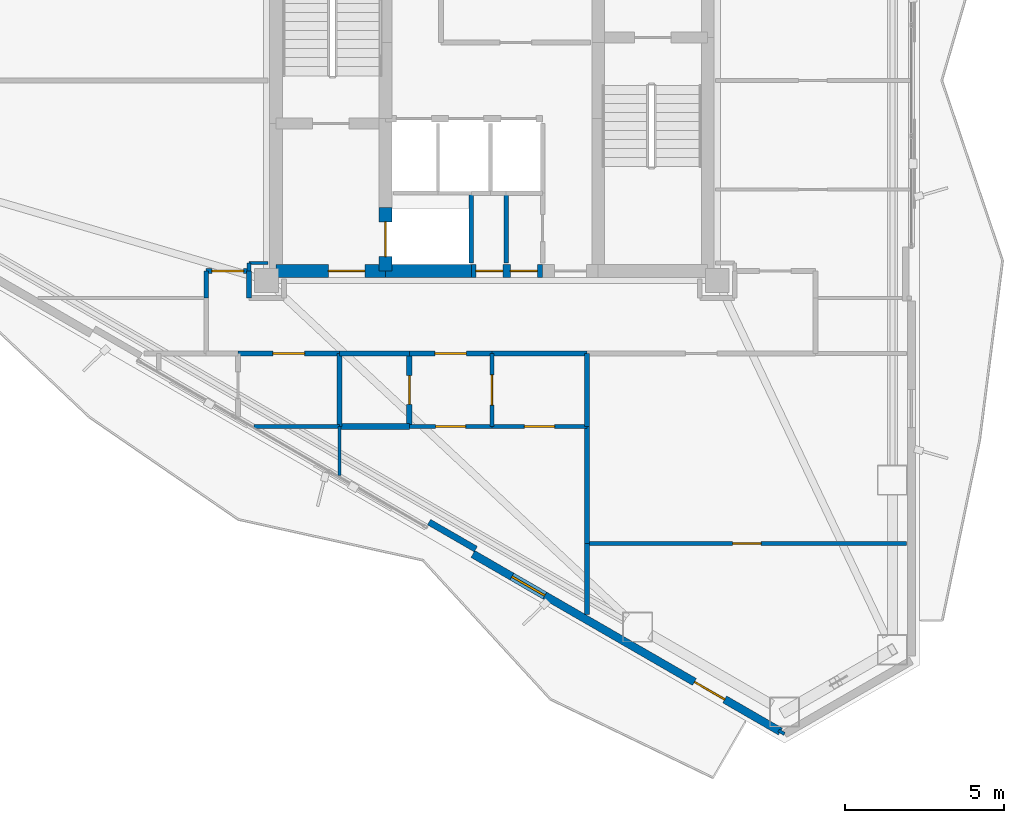
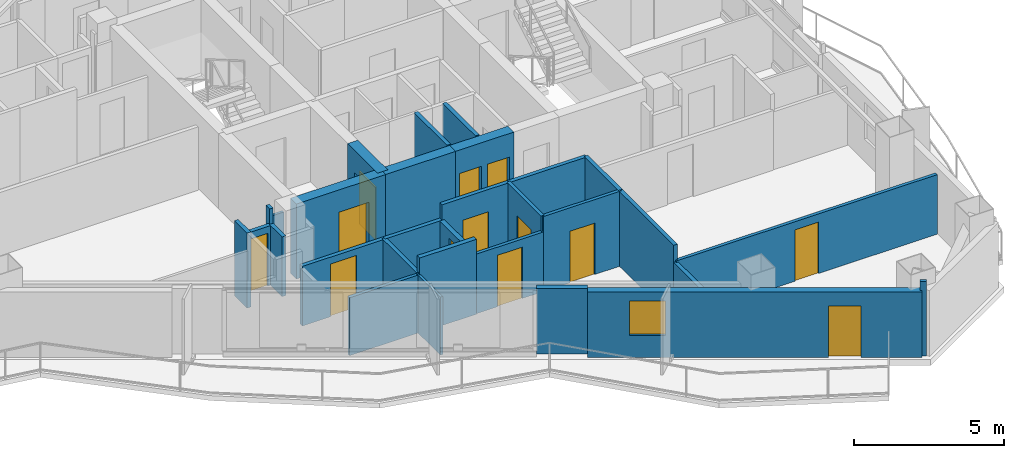
# One storey, part 12 of 18: 30 walls, 13 doors, 1 window, 14 openings.
"""IFC4 building model written with IfcOpenShell, lengths in metres."""

from ifc_helpers import new_model, si_unit, direction, frame, frame_2d, origin, place, context, subcontext, project, spatial, rectangle, extrude, material, layer, layer_set, type_object, element, fill, save


model = new_model("IFC4")

# Units and contexts
model_context = context("Model", 3, precision=1e-05, world=origin(), true_north=direction((0.0, 1.0)))
body_context = subcontext(model_context, "Body", "Model", "MODEL_VIEW")
ifc_project = project(units=[si_unit("LENGTHUNIT", "METRE"), si_unit("AREAUNIT", "SQUARE_METRE"), si_unit("VOLUMEUNIT", "CUBIC_METRE"), si_unit("PLANEANGLEUNIT", "RADIAN"), si_unit("MASSUNIT", "GRAM", prefix="KILO")], contexts=[model_context])

# Site, building, storey
site_placement = place(None, origin())
site = spatial("IfcSite", under=ifc_project, at=site_placement, CompositionType="ELEMENT")
building_placement = place(site_placement, origin())
building = spatial("IfcBuilding", under=site, at=building_placement, Name="Mersakhor Tower and Convention Hall", CompositionType="ELEMENT")
storey_placement = place(building_placement, frame((0.0, 0.0, 154.199951171875)))
storey = spatial("IfcBuildingStorey", under=building, at=storey_placement, Name="L43", CompositionType="ELEMENT", Elevation=154.199951171875)

# Wall, openings, door, window
ifc_material_1 = material(Name="Precast concrete C40/50", Category="concrete")
ifc_layer_1 = layer(ifc_material_1, 0.25)
ifc_layer_set_1 = layer_set([ifc_layer_1], Name="Precast concrete C40/50")
wall_type_1 = type_object("IfcWallType", Name="WL-EXT-250", PredefinedType="SOLIDWALL", material=ifc_layer_set_1)
wall_1_placement = place(storey_placement, frame((38.090576171875, 6.2373046875, 0.0), z_axis=(0.0, 0.0, 1.0), x_axis=(-0.86602239209, 0.500005216371, 0.0)))
wall_1 = element("IfcWall", 1, at=wall_1_placement, inside=storey, type_object=wall_type_1, Name="L43 Exterior Facade Wall F3-B1", PredefinedType="SOLIDWALL", context=body_context, shape_type="SweptSolid", body=[
    extrude(rectangle(XDim=11.18603515625, YDim=0.25, at=frame_2d((5.593017578125, 0.0))), origin(), (0.0, 0.0, 1.0), 2.679931640625),
])
opening_1_placement = place(wall_1_placement, frame((2.027099609375, 0.0, 0.0)))
opening_1 = element("IfcOpeningElement", 2, at=opening_1_placement, cuts=wall_1, Name="Opening BD-02", PredefinedType="OPENING", context=body_context, shape_type="SweptSolid", body=[
    extrude(rectangle(XDim=1.10009765625, YDim=2.10009765625, at=frame_2d((0.550048828125, 1.050048828125))), frame((0.0, 0.135009765625, 0.0), z_axis=(0.0, -1.0, 0.0), x_axis=(1.0, 0.0, 0.0)), (0.0, 0.0, 1.0), 0.27001953125),
])
opening_2_placement = place(wall_1_placement, frame((8.571044921875, 0.0, 0.89990234375)))
opening_2 = element("IfcOpeningElement", 3, at=opening_2_placement, cuts=wall_1, Name="Opening W-01", PredefinedType="OPENING", context=body_context, shape_type="SweptSolid", body=[
    extrude(rectangle(XDim=1.199951171875, YDim=1.39990234375, at=frame_2d((0.60009765625, 0.699951171875))), frame((0.0, 0.135009765625, 0.0), z_axis=(0.0, -1.0, 0.0), x_axis=(1.0, 0.0, 0.0)), (0.0, 0.0, 1.0), 0.27001953125),
])
ifc_material_2 = material(Name="Thermally broken dark aluminium and safety glass", Category="aluminium")
door_type_1 = type_object("IfcDoorType", Name="DR-BAL-110x210", OperationType="NOTDEFINED", PredefinedType="DOOR", material=ifc_material_2)
door_1_placement = place(opening_1_placement, origin())
door_1 = element("IfcDoor", 4, at=door_1_placement, inside=storey, type_object=door_type_1, Name="L43 Balcony Terrace Door F3-B1", OperationType="SINGLE_SWING_RIGHT", OverallHeight=2.10009765625, OverallWidth=1.10009765625, PredefinedType="DOOR", context=body_context, shape_type="SweptSolid", body=[
    extrude(rectangle(XDim=1.10009765625, YDim=2.10009765625, at=frame_2d((0.550048828125, 1.050048828125))), frame((0.0, 0.02490234375, 0.0), z_axis=(0.0, -1.0, 0.0), x_axis=(1.0, 0.0, 0.0)), (0.0, 0.0, 1.0), 0.050048828125),
])
fill(opening_1, door_1)
ifc_material_3 = material(Name="Dark solar low-E glazed aluminium window", Category="aluminium")
window_type = type_object("IfcWindowType", Name="WN-RES-120x150", PartitioningType="SINGLE_PANEL", PredefinedType="WINDOW", material=ifc_material_3)
window_placement = place(opening_2_placement, origin())
window = element("IfcWindow", 5, at=window_placement, inside=storey, type_object=window_type, Name="L43 Bedroom Facade Window F3-B1-1", OverallHeight=1.39990234375, OverallWidth=1.199951171875, PartitioningType="SINGLE_PANEL", PredefinedType="WINDOW", context=body_context, shape_type="SweptSolid", body=[
    extrude(rectangle(XDim=1.199951171875, YDim=1.39990234375, at=frame_2d((0.60009765625, 0.699951171875))), frame((0.0, 0.030029296875, 0.0), z_axis=(0.0, -1.0, 0.0), x_axis=(1.0, 0.0, 0.0)), (0.0, 0.0, 1.0), 0.06005859375),
])
fill(opening_2, window)

# Wall
ifc_material_4 = material(Name="Precast concrete C40/50", Category="concrete")
ifc_layer_2 = layer(ifc_material_4, 0.199951171875)
ifc_layer_set_2 = layer_set([ifc_layer_2], Name="Precast concrete C40/50")
wall_type_2 = type_object("IfcWallType", Name="WL-PAR-200", PredefinedType="PARAPET", material=ifc_layer_set_2)
wall_2_placement = place(storey_placement, frame((28.4931640625, 11.986328125, 0.0), z_axis=(0.0, 0.0, 1.0), x_axis=(-0.86605165483, 0.499954529098, 0.0)))
element("IfcWall", 6, at=wall_2_placement, inside=storey, type_object=wall_type_2, Name="L43 Column Pier Cladding Wall F3-C1", PredefinedType="PARAPET", context=body_context, shape_type="SweptSolid", body=[
    extrude(rectangle(XDim=1.699951171875, YDim=0.199951171875, at=frame_2d((0.85009765625, 0.0))), origin(), (0.0, 0.0, 1.0), 2.679931640625),
])

# Wall, opening, door
ifc_material_5 = material(Name="Moisture-resistant acoustic drywall studwork", Category="other")
ifc_layer_3 = layer(ifc_material_5, 0.175048828125)
ifc_layer_set_3 = layer_set([ifc_layer_3], Name="Moisture-resistant acoustic drywall studwork")
wall_type_3 = type_object("IfcWallType", Name="WL-PLM-175", PredefinedType="PLUMBINGWALL", material=ifc_layer_set_3)
wall_3_placement = place(storey_placement, frame((26.39990234375, 15.85009765625, 0.0), z_axis=(0.0, 0.0, 1.0), x_axis=(0.0, 1.0, 0.0)))
wall_3 = element("IfcWall", 7, at=wall_3_placement, inside=storey, type_object=wall_type_3, Name="L43 Interior Partition Wall P-056", PredefinedType="PLUMBINGWALL", context=body_context, shape_type="SweptSolid", body=[
    extrude(rectangle(XDim=2.2998046875, YDim=0.175048828125, at=frame_2d((1.14990234375, 0.0))), origin(), (0.0, 0.0, 1.0), 2.432861328125),
])
opening_3_placement = place(wall_3_placement, frame((0.699951171875, 0.0, 0.0)))
opening_3 = element("IfcOpeningElement", 8, at=opening_3_placement, cuts=wall_3, Name="Opening WD-01", PredefinedType="OPENING", context=body_context, shape_type="SweptSolid", body=[
    extrude(rectangle(XDim=0.89990234375, YDim=2.10009765625, at=frame_2d((0.449951171875, 1.050048828125))), frame((0.0, 0.097412109375, 0.0), z_axis=(0.0, -1.0, 0.0), x_axis=(1.0, 0.0, 0.0)), (0.0, 0.0, 1.0), 0.195068359375),
])
ifc_material_6 = material(Name="Solid-core hardwood leaf in painted steel frame", Category="steel")
door_type_2 = type_object("IfcDoorType", Name="DR-INT-WET-090x210", OperationType="NOTDEFINED", PredefinedType="DOOR", material=ifc_material_6)
door_2_placement = place(opening_3_placement, origin())
door_2 = element("IfcDoor", 9, at=door_2_placement, inside=storey, type_object=door_type_2, Name="L43 L43 Flat S4 Apartment Hall to L43 Flat S4 Bathroom Door", OperationType="SINGLE_SWING_LEFT", OverallHeight=2.10009765625, OverallWidth=0.89990234375, PredefinedType="DOOR", context=body_context, shape_type="SweptSolid", body=[
    extrude(rectangle(XDim=0.89990234375, YDim=2.10009765625, at=frame_2d((0.449951171875, 1.050048828125))), frame((0.0, 0.02490234375, 0.0), z_axis=(0.0, -1.0, 0.0), x_axis=(1.0, 0.0, 0.0)), (0.0, 0.0, 1.0), 0.050048828125),
])
fill(opening_3, door_2)

# Walls
wall_4_placement = place(storey_placement, frame((26.39990234375, 15.85009765625, 0.0), z_axis=(0.0, 0.0, 1.0), x_axis=(-1.0, 0.0, 0.0)))
element("IfcWall", 10, at=wall_4_placement, inside=storey, type_object=wall_type_3, Name="L43 Interior Partition Wall P-067", PredefinedType="PLUMBINGWALL", context=body_context, shape_type="SweptSolid", body=[
    extrude(rectangle(XDim=2.199951171875, YDim=0.175048828125, at=frame_2d((1.10009765625, 0.0))), origin(), (0.0, 0.0, 1.0), 3.06005859375),
])
ifc_material_7 = material(Name="Lightweight gypsum partition", Category="other")
ifc_layer_4 = layer(ifc_material_7, 0.10009765625)
ifc_layer_set_4 = layer_set([ifc_layer_4], Name="Lightweight gypsum partition")
wall_type_4 = type_object("IfcWallType", Name="WL-PRT-100", PredefinedType="PARTITIONING", material=ifc_layer_set_4)
wall_5_placement = place(storey_placement, frame((38.220703125, 6.162109375, 0.0), z_axis=(0.0, 0.0, 1.0), x_axis=(-0.865581379588, 0.500768285049, 0.0)))
element("IfcWall", 11, at=wall_5_placement, inside=storey, type_object=wall_type_4, Name="L43 Interior Partition Wall P-088", PredefinedType="PARTITIONING", context=body_context, shape_type="SweptSolid", body=[
    extrude(rectangle(XDim=0.215576171875, YDim=0.10009765625, at=frame_2d((0.10791015625, 0.0))), origin(), (0.0, 0.0, 1.0), 3.06005859375),
])
wall_6_placement = place(storey_placement, frame((21.949951171875, 21.0, 0.0), z_axis=(0.0, 0.0, 1.0), x_axis=(-1.0, 0.0, 0.0)))
element("IfcWall", 12, at=wall_6_placement, inside=storey, type_object=wall_type_4, Name="L43 Interior Partition Wall P-092", PredefinedType="PARTITIONING", context=body_context, shape_type="SweptSolid", body=[
    extrude(rectangle(XDim=0.599853515625, YDim=0.10009765625, at=frame_2d((0.2998046875, 0.0))), origin(), (0.0, 0.0, 1.0), 2.5849609375),
])
wall_7_placement = place(storey_placement, frame((24.199951171875, 14.301025390625, 0.0), z_axis=(0.0, 0.0, 1.0), x_axis=(0.0, 1.0, 0.0)))
element("IfcWall", 13, at=wall_7_placement, inside=storey, type_object=wall_type_4, Name="L43 Interior Partition Wall P-116", PredefinedType="PARTITIONING", context=body_context, shape_type="SweptSolid", body=[
    extrude(rectangle(XDim=1.549072265625, YDim=0.10009765625, at=frame_2d((0.7744140625, 0.0))), origin(), (0.0, 0.0, 1.0), 2.364990234375),
])

# Wall, opening, door
ifc_material_8 = material(Name="Gypsum board acoustic partition", Category="other")
ifc_layer_5 = layer(ifc_material_8, 0.125)
ifc_layer_set_5 = layer_set([ifc_layer_5], Name="Gypsum board acoustic partition")
wall_type_5 = type_object("IfcWallType", Name="WL-PRT-125", PredefinedType="PARTITIONING", material=ifc_layer_set_5)
wall_8_placement = place(storey_placement, frame((29.0, 15.85009765625, 0.0), z_axis=(0.0, 0.0, 1.0), x_axis=(-1.0, 0.0, 0.0)))
wall_8 = element("IfcWall", 14, at=wall_8_placement, inside=storey, type_object=wall_type_5, Name="L43 Interior Partition Wall P-055", PredefinedType="PARTITIONING", context=body_context, shape_type="SweptSolid", body=[
    extrude(rectangle(XDim=2.60009765625, YDim=0.125, at=frame_2d((1.300048828125, 0.0))), origin(), (0.0, 0.0, 1.0), 2.432861328125),
])
opening_4_placement = place(wall_8_placement, frame((0.824951171875, 0.0, 0.0)))
opening_4 = element("IfcOpeningElement", 15, at=opening_4_placement, cuts=wall_8, Name="Opening RD-01", PredefinedType="OPENING", context=body_context, shape_type="SweptSolid", body=[
    extrude(rectangle(XDim=0.949951171875, YDim=2.10009765625, at=frame_2d((0.47509765625, 1.050048828125))), frame((0.0, 0.072509765625, 0.0), z_axis=(0.0, -1.0, 0.0), x_axis=(1.0, 0.0, 0.0)), (0.0, 0.0, 1.0), 0.14501953125),
])
ifc_material_9 = material(Name="Solid-core hardwood leaf in painted steel frame", Category="steel")
door_type_3 = type_object("IfcDoorType", Name="DR-INT-RM-095x210", OperationType="NOTDEFINED", PredefinedType="DOOR", material=ifc_material_9)
door_3_placement = place(opening_4_placement, origin())
door_3 = element("IfcDoor", 16, at=door_3_placement, inside=storey, type_object=door_type_3, Name="L43 L43 Flat S4 Apartment Hall to L43 Flat S4 Studio Living and Sleeping Room Door", OperationType="SINGLE_SWING_LEFT", OverallHeight=2.10009765625, OverallWidth=0.949951171875, PredefinedType="DOOR", context=body_context, shape_type="SweptSolid", body=[
    extrude(rectangle(XDim=0.949951171875, YDim=2.10009765625, at=frame_2d((0.47509765625, 1.050048828125))), frame((0.0, 0.02490234375, 0.0), z_axis=(0.0, -1.0, 0.0), x_axis=(1.0, 0.0, 0.0)), (0.0, 0.0, 1.0), 0.050048828125),
])
fill(opening_4, door_3)

wall_9_placement = place(storey_placement, frame((29.0, 18.14990234375, 0.0), z_axis=(0.0, 0.0, 1.0), x_axis=(0.0, -1.0, 0.0)))
wall_9 = element("IfcWall", 17, at=wall_9_placement, inside=storey, type_object=wall_type_5, Name="L43 Interior Partition Wall P-057", PredefinedType="PARTITIONING", context=body_context, shape_type="SweptSolid", body=[
    extrude(rectangle(XDim=2.2998046875, YDim=0.125, at=frame_2d((1.14990234375, 0.0))), origin(), (0.0, 0.0, 1.0), 3.06005859375),
])
opening_5_placement = place(wall_9_placement, frame((0.675048828125, 0.0, 0.0)))
opening_5 = element("IfcOpeningElement", 18, at=opening_5_placement, cuts=wall_9, Name="Opening RD-01", PredefinedType="OPENING", context=body_context, shape_type="SweptSolid", body=[
    extrude(rectangle(XDim=0.949951171875, YDim=2.10009765625, at=frame_2d((0.47509765625, 1.050048828125))), frame((0.0, 0.072509765625, 0.0), z_axis=(0.0, -1.0, 0.0), x_axis=(1.0, 0.0, 0.0)), (0.0, 0.0, 1.0), 0.14501953125),
])
door_4_placement = place(opening_5_placement, origin())
door_4 = element("IfcDoor", 19, at=door_4_placement, inside=storey, type_object=door_type_3, Name="L43 L43 Flat S4 Apartment Hall to L43 Flat S4 Kitchen Door", OperationType="SINGLE_SWING_RIGHT", OverallHeight=2.10009765625, OverallWidth=0.949951171875, PredefinedType="DOOR", context=body_context, shape_type="SweptSolid", body=[
    extrude(rectangle(XDim=0.949951171875, YDim=2.10009765625, at=frame_2d((0.47509765625, 1.050048828125))), frame((0.0, 0.02490234375, 0.0), z_axis=(0.0, -1.0, 0.0), x_axis=(1.0, 0.0, 0.0)), (0.0, 0.0, 1.0), 0.050048828125),
])
fill(opening_5, door_4)

wall_10_placement = place(storey_placement, frame((32.0, 15.85009765625, 0.0), z_axis=(0.0, 0.0, 1.0), x_axis=(-1.0, 0.0, 0.0)))
wall_10 = element("IfcWall", 20, at=wall_10_placement, inside=storey, type_object=wall_type_5, Name="L43 Interior Partition Wall P-069", PredefinedType="PARTITIONING", context=body_context, shape_type="SweptSolid", body=[
    extrude(rectangle(XDim=3.0, YDim=0.125, at=frame_2d((1.5, 0.0))), origin(), (0.0, 0.0, 1.0), 3.06005859375),
])
opening_6_placement = place(wall_10_placement, frame((1.02490234375, 0.0, 0.0)))
opening_6 = element("IfcOpeningElement", 21, at=opening_6_placement, cuts=wall_10, Name="Opening RD-01", PredefinedType="OPENING", context=body_context, shape_type="SweptSolid", body=[
    extrude(rectangle(XDim=0.949951171875, YDim=2.10009765625, at=frame_2d((0.47509765625, 1.050048828125))), frame((0.0, 0.072509765625, 0.0), z_axis=(0.0, -1.0, 0.0), x_axis=(1.0, 0.0, 0.0)), (0.0, 0.0, 1.0), 0.14501953125),
])
door_5_placement = place(opening_6_placement, origin())
door_5 = element("IfcDoor", 22, at=door_5_placement, inside=storey, type_object=door_type_3, Name="L43 L43 Flat S4 Kitchen to L43 Flat S4 Studio Living and Sleeping Room Door", OperationType="SINGLE_SWING_LEFT", OverallHeight=2.10009765625, OverallWidth=0.949951171875, PredefinedType="DOOR", context=body_context, shape_type="SweptSolid", body=[
    extrude(rectangle(XDim=0.949951171875, YDim=2.10009765625, at=frame_2d((0.47509765625, 1.050048828125))), frame((0.0, 0.02490234375, 0.0), z_axis=(0.0, -1.0, 0.0), x_axis=(1.0, 0.0, 0.0)), (0.0, 0.0, 1.0), 0.050048828125),
])
fill(opening_6, door_5)

wall_11_placement = place(storey_placement, frame((32.0, 12.159912109375, 0.0), z_axis=(0.0, 0.0, 1.0), x_axis=(1.0, 0.0, 0.0)))
wall_11 = element("IfcWall", 23, at=wall_11_placement, inside=storey, type_object=wall_type_5, Name="L43 Interior Partition Wall P-087", PredefinedType="PARTITIONING", context=body_context, shape_type="SweptSolid", body=[
    extrude(rectangle(XDim=10.0703125, YDim=0.125, at=frame_2d((5.03515625, 0.0))), origin(), (0.0, 0.0, 1.0), 2.432861328125),
])
opening_7_placement = place(wall_11_placement, frame((4.585205078125, 0.0, 0.0)))
opening_7 = element("IfcOpeningElement", 24, at=opening_7_placement, cuts=wall_11, Name="Opening WD-01", PredefinedType="OPENING", context=body_context, shape_type="SweptSolid", body=[
    extrude(rectangle(XDim=0.89990234375, YDim=2.10009765625, at=frame_2d((0.449951171875, 1.050048828125))), frame((0.0, 0.072509765625, 0.0), z_axis=(0.0, -1.0, 0.0), x_axis=(1.0, 0.0, 0.0)), (0.0, 0.0, 1.0), 0.14501953125),
])
door_6_placement = place(opening_7_placement, origin())
door_6 = element("IfcDoor", 25, at=door_6_placement, inside=storey, type_object=door_type_2, Name="L43 L43 South-East Residents Lounge to L43 South-East Residents Lounge Annex Door", OperationType="SINGLE_SWING_LEFT", OverallHeight=2.10009765625, OverallWidth=0.89990234375, PredefinedType="DOOR", context=body_context, shape_type="SweptSolid", body=[
    extrude(rectangle(XDim=0.89990234375, YDim=2.10009765625, at=frame_2d((0.449951171875, 1.050048828125))), frame((0.0, 0.02490234375, 0.0), z_axis=(0.0, -1.0, 0.0), x_axis=(1.0, 0.0, 0.0)), (0.0, 0.0, 1.0), 0.050048828125),
])
fill(opening_7, door_6)

# Walls
wall_12_placement = place(storey_placement, frame((21.35009765625, 21.0, 0.0), z_axis=(0.0, 0.0, 1.0), x_axis=(0.0, -1.0, 0.0)))
element("IfcWall", 26, at=wall_12_placement, inside=storey, type_object=wall_type_5, Name="L43 Interior Partition Wall P-093", PredefinedType="PARTITIONING", context=body_context, shape_type="SweptSolid", body=[
    extrude(rectangle(XDim=0.25, YDim=0.125, at=frame_2d((0.125, 0.0))), origin(), (0.0, 0.0, 1.0), 3.06005859375),
])
wall_13_placement = place(storey_placement, frame((24.199951171875, 15.85009765625, 0.0), z_axis=(0.0, 0.0, 1.0), x_axis=(-1.0, 0.0, 0.0)))
element("IfcWall", 27, at=wall_13_placement, inside=storey, type_object=wall_type_5, Name="L43 Interior Partition Wall P-115", PredefinedType="PARTITIONING", context=body_context, shape_type="SweptSolid", body=[
    extrude(rectangle(XDim=2.68994140625, YDim=0.125, at=frame_2d((1.344970703125, 0.0))), origin(), (0.0, 0.0, 1.0), 2.364990234375),
])
ifc_material_10 = material(Name="Fire-rated gypsum board stud partition", Category="other")
ifc_layer_6 = layer(ifc_material_10, 0.14990234375)
ifc_layer_set_6 = layer_set([ifc_layer_6], Name="Fire-rated gypsum board stud partition")
wall_type_6 = type_object("IfcWallType", Name="WL-PRT-150", PredefinedType="PARTITIONING", material=ifc_layer_set_6)
wall_14_placement = place(storey_placement, frame((28.35009765625, 23.199951171875, 0.0), z_axis=(0.0, 0.0, 1.0), x_axis=(0.0, -1.0, 0.0)))
element("IfcWall", 28, at=wall_14_placement, inside=storey, type_object=wall_type_6, Name="L43 Interior Partition Wall P-003", PredefinedType="PARTITIONING", context=body_context, shape_type="SweptSolid", body=[
    extrude(rectangle(XDim=2.199951171875, YDim=0.14990234375, at=frame_2d((1.10009765625, 0.0))), origin(), (0.0, 0.0, 1.0), 3.06005859375),
])
wall_15_placement = place(storey_placement, frame((32.0, 18.14990234375, 0.0), z_axis=(0.0, 0.0, 1.0), x_axis=(-1.0, 0.0, 0.0)))
element("IfcWall", 29, at=wall_15_placement, inside=storey, type_object=wall_type_6, Name="L43 Interior Partition Wall P-042", PredefinedType="PARTITIONING", context=body_context, shape_type="SweptSolid", body=[
    extrude(rectangle(XDim=3.0, YDim=0.14990234375, at=frame_2d((1.5, 0.0))), origin(), (0.0, 0.0, 1.0), 3.06005859375),
])

# Wall, opening, door
wall_16_placement = place(storey_placement, frame((29.0, 18.14990234375, 0.0), z_axis=(0.0, 0.0, 1.0), x_axis=(-1.0, 0.0, 0.0)))
wall_16 = element("IfcWall", 30, at=wall_16_placement, inside=storey, type_object=wall_type_6, Name="L43 Interior Partition Wall P-043", PredefinedType="PARTITIONING", context=body_context, shape_type="SweptSolid", body=[
    extrude(rectangle(XDim=2.60009765625, YDim=0.14990234375, at=frame_2d((1.300048828125, 0.0))), origin(), (0.0, 0.0, 1.0), 3.06005859375),
])
opening_8_placement = place(wall_16_placement, frame((0.800048828125, 0.0, 0.0)))
opening_8 = element("IfcOpeningElement", 31, at=opening_8_placement, cuts=wall_16, Name="Opening FD-01", PredefinedType="OPENING", context=body_context, shape_type="SweptSolid", body=[
    extrude(rectangle(XDim=1.0, YDim=2.14990234375, at=frame_2d((0.5, 1.074951171875))), frame((0.0, 0.0849609375, 0.0), z_axis=(0.0, -1.0, 0.0), x_axis=(1.0, 0.0, 0.0)), (0.0, 0.0, 1.0), 0.169921875),
])
ifc_material_11 = material(Name="Fire-rated hardwood leaf and painted steel frame", Category="steel")
door_type_4 = type_object("IfcDoorType", Name="DR-INT-FLT-100x215", OperationType="NOTDEFINED", PredefinedType="DOOR", material=ifc_material_11)
door_7_placement = place(opening_8_placement, origin())
door_7 = element("IfcDoor", 32, at=door_7_placement, inside=storey, type_object=door_type_4, Name="L43 Apartment Entrance Door (Residential South Gallery Corridor to L43 Flat S4 Apartment Hall)", OperationType="SINGLE_SWING_LEFT", OverallHeight=2.14990234375, OverallWidth=1.0, PredefinedType="DOOR", context=body_context, shape_type="SweptSolid", body=[
    extrude(rectangle(XDim=1.0, YDim=2.14990234375, at=frame_2d((0.5, 1.074951171875))), frame((0.0, 0.02490234375, 0.0), z_axis=(0.0, -1.0, 0.0), x_axis=(1.0, 0.0, 0.0)), (0.0, 0.0, 1.0), 0.050048828125),
])
fill(opening_8, door_7)

# Wall
wall_17_placement = place(storey_placement, frame((26.39990234375, 18.14990234375, 0.0), z_axis=(0.0, 0.0, 1.0), x_axis=(-1.0, 0.0, 0.0)))
element("IfcWall", 33, at=wall_17_placement, inside=storey, type_object=wall_type_6, Name="L43 Interior Partition Wall P-044", PredefinedType="PARTITIONING", context=body_context, shape_type="SweptSolid", body=[
    extrude(rectangle(XDim=2.199951171875, YDim=0.14990234375, at=frame_2d((1.10009765625, 0.0))), origin(), (0.0, 0.0, 1.0), 2.432861328125),
])

# Wall, opening, door
wall_18_placement = place(storey_placement, frame((24.199951171875, 18.14990234375, 0.0), z_axis=(0.0, 0.0, 1.0), x_axis=(-1.0, 0.0, 0.0)))
wall_18 = element("IfcWall", 34, at=wall_18_placement, inside=storey, type_object=wall_type_6, Name="L43 Interior Partition Wall P-045", PredefinedType="PARTITIONING", context=body_context, shape_type="SweptSolid", body=[
    extrude(rectangle(XDim=3.199951171875, YDim=0.14990234375, at=frame_2d((1.60009765625, 0.0))), origin(), (0.0, 0.0, 1.0), 2.432861328125),
])
opening_9_placement = place(wall_18_placement, frame((1.10009765625, 0.0, 0.0)))
opening_9 = element("IfcOpeningElement", 35, at=opening_9_placement, cuts=wall_18, Name="Opening FD-01", PredefinedType="OPENING", context=body_context, shape_type="SweptSolid", body=[
    extrude(rectangle(XDim=1.0, YDim=2.14990234375, at=frame_2d((0.5, 1.074951171875))), frame((0.0, 0.0849609375, 0.0), z_axis=(0.0, -1.0, 0.0), x_axis=(1.0, 0.0, 0.0)), (0.0, 0.0, 1.0), 0.169921875),
])
door_8_placement = place(opening_9_placement, origin())
door_8 = element("IfcDoor", 36, at=door_8_placement, inside=storey, type_object=door_type_4, Name="L43 Residential South Gallery Corridor to L43 Floor Shared Tea Pantry 3-2 Door", OperationType="SINGLE_SWING_LEFT", OverallHeight=2.14990234375, OverallWidth=1.0, PredefinedType="DOOR", context=body_context, shape_type="SweptSolid", body=[
    extrude(rectangle(XDim=1.0, YDim=2.14990234375, at=frame_2d((0.5, 1.074951171875))), frame((0.0, 0.02490234375, 0.0), z_axis=(0.0, -1.0, 0.0), x_axis=(1.0, 0.0, 0.0)), (0.0, 0.0, 1.0), 0.050048828125),
])
fill(opening_9, door_8)

# Wall
wall_19_placement = place(storey_placement, frame((20.0, 19.89990234375, 0.0), z_axis=(0.0, 0.0, 1.0), x_axis=(0.0, 1.0, 0.0)))
element("IfcWall", 37, at=wall_19_placement, inside=storey, type_object=wall_type_6, Name="L43 Interior Partition Wall P-048", PredefinedType="PARTITIONING", context=body_context, shape_type="SweptSolid", body=[
    extrude(rectangle(XDim=0.85009765625, YDim=0.14990234375, at=frame_2d((0.425048828125, 0.0))), origin(), (0.0, 0.0, 1.0), 3.06005859375),
])

# Wall, opening, door
wall_20_placement = place(storey_placement, frame((20.0, 20.75, 0.0), z_axis=(0.0, 0.0, 1.0), x_axis=(1.0, 0.0, 0.0)))
wall_20 = element("IfcWall", 38, at=wall_20_placement, inside=storey, type_object=wall_type_6, Name="L43 Interior Partition Wall P-049", PredefinedType="PARTITIONING", context=body_context, shape_type="SweptSolid", body=[
    extrude(rectangle(XDim=1.35009765625, YDim=0.14990234375, at=frame_2d((0.675048828125, 0.0))), origin(), (0.0, 0.0, 1.0), 2.432861328125),
])
opening_10_placement = place(wall_20_placement, frame((0.175048828125, 0.0, 0.0)))
opening_10 = element("IfcOpeningElement", 39, at=opening_10_placement, cuts=wall_20, Name="Opening FD-01", PredefinedType="OPENING", context=body_context, shape_type="SweptSolid", body=[
    extrude(rectangle(XDim=1.0, YDim=2.14990234375, at=frame_2d((0.5, 1.074951171875))), frame((0.0, 0.0849609375, 0.0), z_axis=(0.0, -1.0, 0.0), x_axis=(1.0, 0.0, 0.0)), (0.0, 0.0, 1.0), 0.169921875),
])
door_9_placement = place(opening_10_placement, origin())
door_9 = element("IfcDoor", 40, at=door_9_placement, inside=storey, type_object=door_type_4, Name="L43 Residential South Gallery Corridor to L43 West South Residents Dining Room Door", OperationType="SINGLE_SWING_LEFT", OverallHeight=2.14990234375, OverallWidth=1.0, PredefinedType="DOOR", context=body_context, shape_type="SweptSolid", body=[
    extrude(rectangle(XDim=1.0, YDim=2.14990234375, at=frame_2d((0.5, 1.074951171875))), frame((0.0, 0.02490234375, 0.0), z_axis=(0.0, -1.0, 0.0), x_axis=(1.0, 0.0, 0.0)), (0.0, 0.0, 1.0), 0.050048828125),
])
fill(opening_10, door_9)

# Walls
wall_21_placement = place(storey_placement, frame((21.35009765625, 20.75, 0.0), z_axis=(0.0, 0.0, 1.0), x_axis=(0.0, -1.0, 0.0)))
element("IfcWall", 41, at=wall_21_placement, inside=storey, type_object=wall_type_6, Name="L43 Interior Partition Wall P-050", PredefinedType="PARTITIONING", context=body_context, shape_type="SweptSolid", body=[
    extrude(rectangle(XDim=0.85009765625, YDim=0.14990234375, at=frame_2d((0.425048828125, 0.0))), origin(), (0.0, 0.0, 1.0), 2.432861328125),
])
wall_22_placement = place(storey_placement, frame((24.199951171875, 15.85009765625, 0.0), z_axis=(0.0, 0.0, 1.0), x_axis=(0.0, 1.0, 0.0)))
element("IfcWall", 42, at=wall_22_placement, inside=storey, type_object=wall_type_6, Name="L43 Interior Partition Wall P-068", PredefinedType="PARTITIONING", context=body_context, shape_type="SweptSolid", body=[
    extrude(rectangle(XDim=2.2998046875, YDim=0.14990234375, at=frame_2d((1.14990234375, 0.0))), origin(), (0.0, 0.0, 1.0), 2.432861328125),
])
wall_23_placement = place(storey_placement, frame((32.0, 18.14990234375, 0.0), z_axis=(0.0, 0.0, 1.0), x_axis=(0.0, -1.0, 0.0)))
element("IfcWall", 43, at=wall_23_placement, inside=storey, type_object=wall_type_6, Name="L43 Interior Partition Wall P-070", PredefinedType="PARTITIONING", context=body_context, shape_type="SweptSolid", body=[
    extrude(rectangle(XDim=2.2998046875, YDim=0.14990234375, at=frame_2d((1.14990234375, 0.0))), origin(), (0.0, 0.0, 1.0), 3.06005859375),
])
wall_24_placement = place(storey_placement, frame((29.449951171875, 23.199951171875, 0.0), z_axis=(0.0, 0.0, 1.0), x_axis=(0.0, -1.0, 0.0)))
element("IfcWall", 44, at=wall_24_placement, inside=storey, type_object=wall_type_6, Name="L43 Interior Partition Wall P-078", PredefinedType="PARTITIONING", context=body_context, shape_type="SweptSolid", body=[
    extrude(rectangle(XDim=2.199951171875, YDim=0.14990234375, at=frame_2d((1.10009765625, 0.0))), origin(), (0.0, 0.0, 1.0), 3.06005859375),
])
wall_25_placement = place(storey_placement, frame((32.0, 9.92578125, 0.0), z_axis=(0.0, 0.0, 1.0), x_axis=(0.0, 1.0, 0.0)))
element("IfcWall", 45, at=wall_25_placement, inside=storey, type_object=wall_type_6, Name="L43 Interior Partition Wall P-086", PredefinedType="PARTITIONING", context=body_context, shape_type="SweptSolid", body=[
    extrude(rectangle(XDim=2.234130859375, YDim=0.14990234375, at=frame_2d((1.1171875, 0.0))), origin(), (0.0, 0.0, 1.0), 2.364990234375),
])
wall_26_placement = place(storey_placement, frame((32.0, 12.159912109375, 0.0), z_axis=(0.0, 0.0, 1.0), x_axis=(0.0, 1.0, 0.0)))
element("IfcWall", 46, at=wall_26_placement, inside=storey, type_object=wall_type_6, Name="L43 Interior Partition Wall P-090", PredefinedType="PARTITIONING", context=body_context, shape_type="SweptSolid", body=[
    extrude(rectangle(XDim=3.690185546875, YDim=0.14990234375, at=frame_2d((1.84521484375, 0.0))), origin(), (0.0, 0.0, 1.0), 3.06005859375),
])

# Wall, openings, doors
ifc_material_12 = material(Name="Concrete C60/75", Category="concrete")
ifc_layer_7 = layer(ifc_material_12, 0.39990234375)
ifc_layer_set_7 = layer_set([ifc_layer_7], Name="Concrete C60/75")
wall_type_7 = type_object("IfcWallType", Name="WL-SHR-400", PredefinedType="SHEAR", material=ifc_layer_set_7)
wall_27_placement = place(storey_placement, frame((30.60009765625, 20.75, 0.0), z_axis=(0.0, 0.0, 1.0), x_axis=(-1.0, 0.0, 0.0)))
wall_27 = element("IfcWall", 47, at=wall_27_placement, inside=storey, type_object=wall_type_7, Name="L43 Core Wall CW-S2B", PredefinedType="SHEAR", context=body_context, shape_type="SweptSolid", body=[
    extrude(rectangle(XDim=2.25, YDim=0.39990234375, at=frame_2d((1.125, 0.0))), origin(), (0.0, 0.0, 1.0), 3.06005859375),
])
opening_11_placement = place(wall_27_placement, frame((1.2548828125, 0.0, 0.0)))
opening_11 = element("IfcOpeningElement", 48, at=opening_11_placement, cuts=wall_27, Name="Opening SVD-01", PredefinedType="OPENING", context=body_context, shape_type="SweptSolid", body=[
    extrude(rectangle(XDim=0.85009765625, YDim=2.10009765625, at=frame_2d((0.425048828125, 1.050048828125))), frame((0.0, 0.2099609375, 0.0), z_axis=(0.0, -1.0, 0.0), x_axis=(1.0, 0.0, 0.0)), (0.0, 0.0, 1.0), 0.419921875),
])
opening_12_placement = place(wall_27_placement, frame((0.169921875, 0.0, 0.0)))
opening_12 = element("IfcOpeningElement", 49, at=opening_12_placement, cuts=wall_27, Name="Opening SVD-01", PredefinedType="OPENING", context=body_context, shape_type="SweptSolid", body=[
    extrude(rectangle(XDim=0.85009765625, YDim=2.10009765625, at=frame_2d((0.425048828125, 1.050048828125))), frame((0.0, 0.2099609375, 0.0), z_axis=(0.0, -1.0, 0.0), x_axis=(1.0, 0.0, 0.0)), (0.0, 0.0, 1.0), 0.419921875),
])
ifc_material_13 = material(Name="Fire-rated hardwood leaf and painted steel frame", Category="steel")
door_type_5 = type_object("IfcDoorType", Name="DR-INT-SVC-085x210", OperationType="NOTDEFINED", PredefinedType="DOOR", material=ifc_material_13)
door_10_placement = place(opening_11_placement, origin())
door_10 = element("IfcDoor", 50, at=door_10_placement, inside=storey, type_object=door_type_5, Name="L43 Residential South Gallery Corridor to Sub-Metering Switch Room Door", OperationType="SINGLE_SWING_RIGHT", OverallHeight=2.10009765625, OverallWidth=0.85009765625, PredefinedType="DOOR", context=body_context, shape_type="SweptSolid", body=[
    extrude(rectangle(XDim=0.85009765625, YDim=2.10009765625, at=frame_2d((0.425048828125, 1.050048828125))), frame((0.0, 0.02490234375, 0.0), z_axis=(0.0, -1.0, 0.0), x_axis=(1.0, 0.0, 0.0)), (0.0, 0.0, 1.0), 0.050048828125),
])
fill(opening_11, door_10)
door_11_placement = place(opening_12_placement, origin())
door_11 = element("IfcDoor", 51, at=door_11_placement, inside=storey, type_object=door_type_5, Name="L43 Residential South Gallery Corridor to Core Maintenance Store Room Door", OperationType="SINGLE_SWING_LEFT", OverallHeight=2.10009765625, OverallWidth=0.85009765625, PredefinedType="DOOR", context=body_context, shape_type="SweptSolid", body=[
    extrude(rectangle(XDim=0.85009765625, YDim=2.10009765625, at=frame_2d((0.425048828125, 1.050048828125))), frame((0.0, 0.02490234375, 0.0), z_axis=(0.0, -1.0, 0.0), x_axis=(1.0, 0.0, 0.0)), (0.0, 0.0, 1.0), 0.050048828125),
])
fill(opening_12, door_11)

# Wall
wall_28_placement = place(storey_placement, frame((28.35009765625, 20.75, 0.0), z_axis=(0.0, 0.0, 1.0), x_axis=(-1.0, 0.0, 0.0)))
element("IfcWall", 52, at=wall_28_placement, inside=storey, type_object=wall_type_7, Name="L43 Core Wall CW-S3", PredefinedType="SHEAR", context=body_context, shape_type="SweptSolid", body=[
    extrude(rectangle(XDim=2.7001953125, YDim=0.39990234375, at=frame_2d((1.35009765625, 0.0))), origin(), (0.0, 0.0, 1.0), 3.06005859375),
])

# Wall, opening, door
wall_29_placement = place(storey_placement, frame((25.64990234375, 20.75, 0.0), z_axis=(0.0, 0.0, 1.0), x_axis=(-1.0, 0.0, 0.0)))
wall_29 = element("IfcWall", 53, at=wall_29_placement, inside=storey, type_object=wall_type_7, Name="L43 Core Wall CW-S4", PredefinedType="SHEAR", context=body_context, shape_type="SweptSolid", body=[
    extrude(rectangle(XDim=3.449951171875, YDim=0.39990234375, at=frame_2d((1.72509765625, 0.0))), origin(), (0.0, 0.0, 1.0), 3.06005859375),
])
opening_13_placement = place(wall_29_placement, frame((0.64990234375, 0.0, 0.0)))
opening_13 = element("IfcOpeningElement", 54, at=opening_13_placement, cuts=wall_29, Name="Opening SD-01", PredefinedType="OPENING", context=body_context, shape_type="SweptSolid", body=[
    extrude(rectangle(XDim=1.14990234375, YDim=2.14990234375, at=frame_2d((0.574951171875, 1.074951171875))), frame((0.0, 0.2099609375, 0.0), z_axis=(0.0, -1.0, 0.0), x_axis=(1.0, 0.0, 0.0)), (0.0, 0.0, 1.0), 0.419921875),
])
ifc_material_14 = material(Name="Fire-rated hardwood leaf and painted steel frame", Category="steel")
door_type_6 = type_object("IfcDoorType", Name="DR-INT-STAIR-115x215", OperationType="NOTDEFINED", PredefinedType="DOOR", material=ifc_material_14)
door_12_placement = place(opening_13_placement, origin())
door_12 = element("IfcDoor", 55, at=door_12_placement, inside=storey, type_object=door_type_6, Name="L43 Firefighting Lobby West Fire Door", OperationType="SINGLE_SWING_LEFT", OverallHeight=2.14990234375, OverallWidth=1.14990234375, PredefinedType="DOOR", context=body_context, shape_type="SweptSolid", body=[
    extrude(rectangle(XDim=1.14990234375, YDim=2.14990234375, at=frame_2d((0.574951171875, 1.074951171875))), frame((0.0, 0.02490234375, 0.0), z_axis=(0.0, -1.0, 0.0), x_axis=(1.0, 0.0, 0.0)), (0.0, 0.0, 1.0), 0.050048828125),
])
fill(opening_13, door_12)

wall_30_placement = place(storey_placement, frame((25.64990234375, 20.75, 0.0), z_axis=(0.0, 0.0, 1.0), x_axis=(0.0, 1.0, 0.0)))
wall_30 = element("IfcWall", 56, at=wall_30_placement, inside=storey, type_object=wall_type_7, Name="L43 Core Wall CS-W-FFL", PredefinedType="SHEAR", context=body_context, shape_type="SweptSolid", body=[
    extrude(rectangle(XDim=2.0, YDim=0.39990234375, at=frame_2d((1.0, 0.0))), origin(), (0.0, 0.0, 1.0), 3.06005859375),
])
opening_14_placement = place(wall_30_placement, frame((0.449951171875, 0.0, 0.0)))
opening_14 = element("IfcOpeningElement", 57, at=opening_14_placement, cuts=wall_30, Name="Opening LD-FFL1", PredefinedType="OPENING", context=body_context, shape_type="SweptSolid", body=[
    extrude(rectangle(XDim=1.10009765625, YDim=2.14990234375, at=frame_2d((0.550048828125, 1.074951171875))), frame((0.0, 0.2099609375, 0.0), z_axis=(0.0, -1.0, 0.0), x_axis=(1.0, 0.0, 0.0)), (0.0, 0.0, 1.0), 0.419921875),
])
ifc_material_15 = material(Name="Fire-rated brushed stainless steel sliding landing door", Category="steel")
door_type_7 = type_object("IfcDoorType", Name="DR-LIFT-SLD-110x215", OperationType="NOTDEFINED", PredefinedType="DOOR", material=ifc_material_15)
door_13_placement = place(opening_14_placement, origin())
door_13 = element("IfcDoor", 58, at=door_13_placement, inside=storey, type_object=door_type_7, Name="L43 Firefighting Lift Landing Door LD-FFL1", OperationType="SLIDING_TO_LEFT", OverallHeight=2.14990234375, OverallWidth=1.10009765625, PredefinedType="DOOR", context=body_context, shape_type="SweptSolid", body=[
    extrude(rectangle(XDim=1.10009765625, YDim=2.14990234375, at=frame_2d((0.550048828125, 1.074951171875))), frame((0.0, 0.02490234375, 0.0), z_axis=(0.0, -1.0, 0.0), x_axis=(1.0, 0.0, 0.0)), (0.0, 0.0, 1.0), 0.050048828125),
])
fill(opening_14, door_13)

save(model, "model.ifc")
